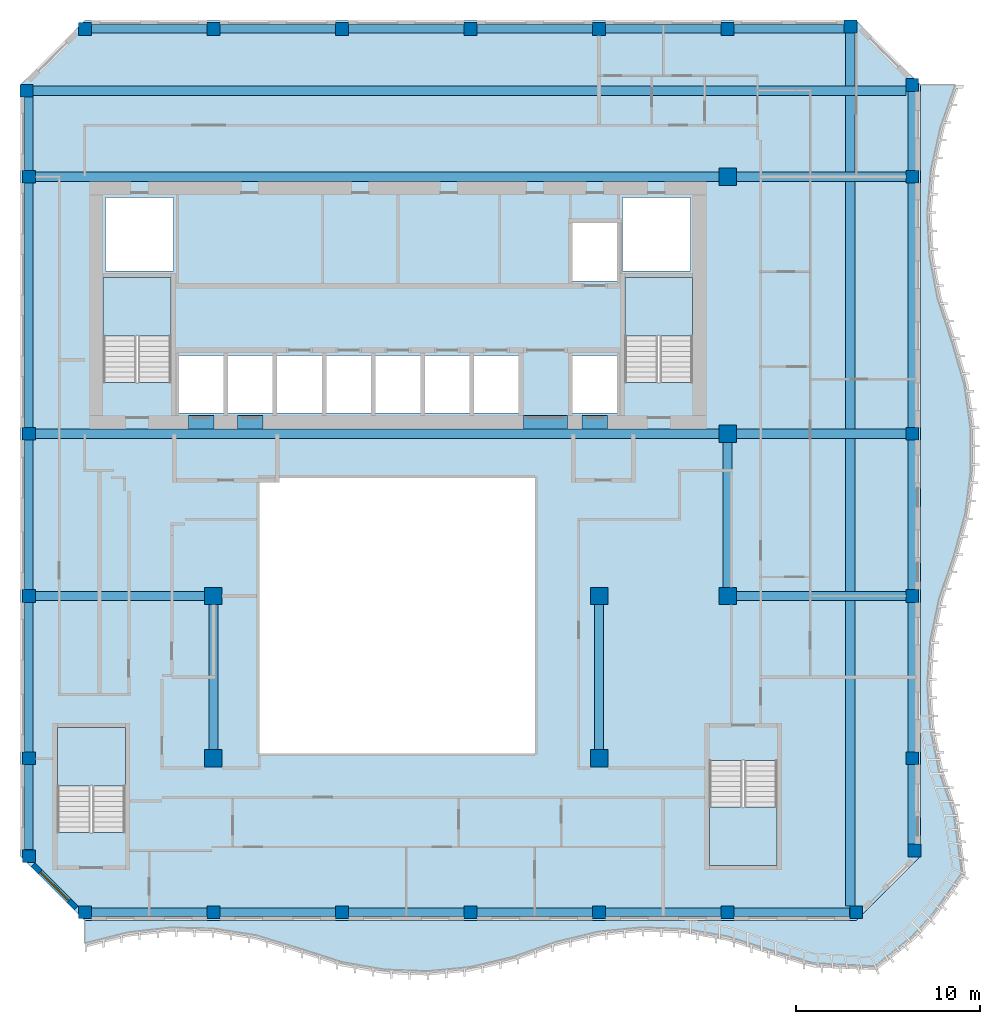
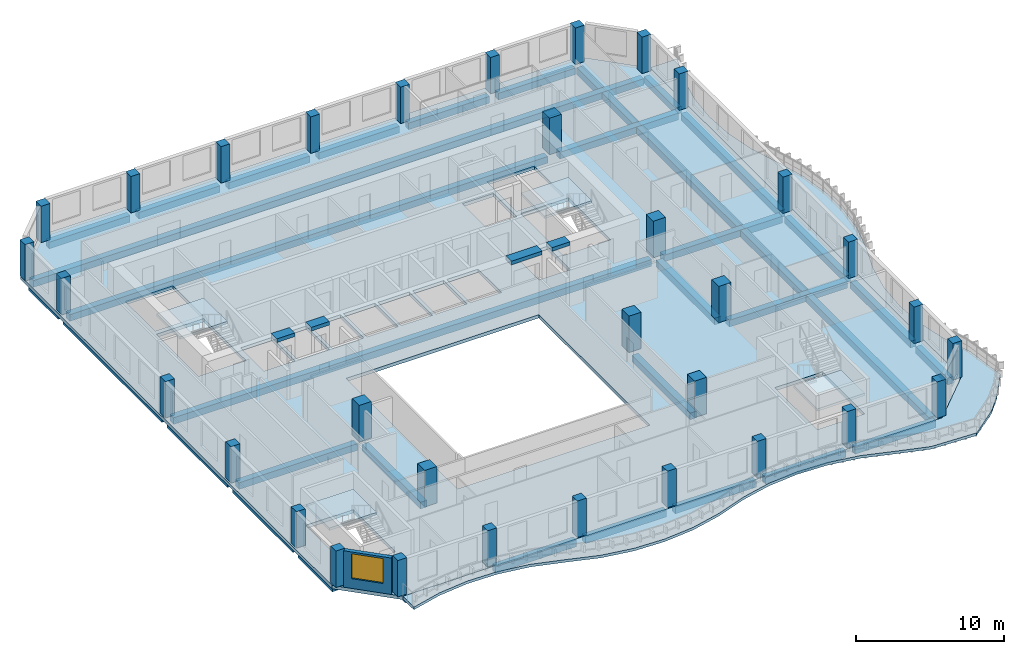
# One storey, part 1 of 13: 37 beams, 33 columns, 6 slabs, 1 wall, 1 window, 1 opening, 4 elements without a shape of their own.
"""IFC4 building model written with IfcOpenShell, lengths in metres."""

from ifc_helpers import new_model, si_unit, direction, frame, frame_2d, origin, origin_2d, place, context, subcontext, project, spatial, polyline, rectangle, outline, extrude, source, transform, mapped, material, layer, layer_set, material_profile, profile_set, type_object, element, fill, aggregate, save


model = new_model("IFC4")

# Units and contexts
model_context = context("Model", 3, precision=1e-05, world=origin(), true_north=direction((0.0, 1.0)))
body_context = subcontext(model_context, "Body", "Model", "MODEL_VIEW")
ifc_project = project(units=[si_unit("LENGTHUNIT", "METRE"), si_unit("AREAUNIT", "SQUARE_METRE"), si_unit("VOLUMEUNIT", "CUBIC_METRE"), si_unit("PLANEANGLEUNIT", "RADIAN"), si_unit("MASSUNIT", "GRAM", prefix="KILO")], contexts=[model_context])

# Site, building, storey
site_placement = place(None, origin())
site = spatial("IfcSite", under=ifc_project, at=site_placement, CompositionType="ELEMENT")
building_placement = place(site_placement, origin())
building = spatial("IfcBuilding", under=site, at=building_placement, Name="Kilnfold Tower and Market Hall", CompositionType="ELEMENT")
storey_placement = place(building_placement, frame((0.0, 0.0, 259.39990234375)))
storey = spatial("IfcBuildingStorey", under=building, at=storey_placement, Name="L63", CompositionType="ELEMENT", Elevation=259.39990234375)

# Columns
ifc_material_1 = material(Name="Concrete C60", Category="concrete")
ifc_material_profile_1 = material_profile(ifc_material_1, rectangle(XDim=0.699951171875, YDim=0.699951171875, at=origin_2d()), Name="RC 700x700")
ifc_profile_set_1 = profile_set([ifc_material_profile_1], Name="Concrete C60")
column_type_1 = type_object("IfcColumnType", Name="COLUMN 700X700 C60", PredefinedType="COLUMN", material=ifc_profile_set_1)
shared_shape_1 = source(origin(), body_context, "Body", "SweptSolid", [
    extrude(rectangle(XDim=0.699951171875, YDim=0.699951171875, at=origin_2d()), origin(), (0.0, 0.0, 1.0), 3.0),
])
for number, where, z_axis, x_axis, name in (
    (1, (-19.181884765625, 26.681884765625, 0.0), (0.0, 0.0, 1.0), (1.0, 0.0, 0.0), "Column C-B7-1G"),
    (2, (-19.050048828125, -15.0, 0.0), (0.0, 0.0, 1.0), (1.0, 0.0, 0.0), "Column C-B7-1B"),
    (3, (-19.050048828125, -9.666748046875, 0.0), (0.0, 0.0, 1.0), (1.0, 0.0, 0.0), "Column C-B7-1C"),
    (4, (-19.050048828125, -0.833251953125, 0.0), (0.0, 0.0, 1.0), (1.0, 0.0, 0.0), "Column C-B7-1D"),
    (5, (-19.050048828125, 8.0, 0.0), (0.0, 0.0, 1.0), (1.0, 0.0, 0.0), "Column C-B7-1E"),
    (6, (-19.050048828125, 22.0, 0.0), (0.0, 0.0, 1.0), (1.0, 0.0, 0.0), "Column C-B7-1F"),
    (7, (-16.0, -18.050048828125, 0.0), (0.0, 0.0, 1.0), (1.0, 0.0, 0.0), "Column C-B7-2A"),
    (8, (-16.0, 30.050048828125, 0.0), (0.0, 0.0, 1.0), (1.0, 0.0, 0.0), "Column C-B7-2H"),
    (9, (-9.0, -18.050048828125, 0.0), (0.0, 0.0, 1.0), (1.0, 0.0, 0.0), "Column C-B7-3A"),
    (10, (-9.0, 30.050048828125, 0.0), (0.0, 0.0, 1.0), (1.0, 0.0, 0.0), "Column C-B7-3H"),
    (11, (-2.0, -18.050048828125, 0.0), (0.0, 0.0, 1.0), (1.0, 0.0, 0.0), "Column C-B7-4A"),
    (12, (-2.0, 30.050048828125, 0.0), (0.0, 0.0, 1.0), (1.0, 0.0, 0.0), "Column C-B7-4H"),
    (13, (5.0, -18.050048828125, 0.0), (0.0, 0.0, 1.0), (1.0, 0.0, 0.0), "Column C-B7-5A"),
    (14, (5.0, 30.050048828125, 0.0), (0.0, 0.0, 1.0), (1.0, 0.0, 0.0), "Column C-B7-5H"),
    (15, (12.0, -18.050048828125, 0.0), (0.0, 0.0, 1.0), (1.0, 0.0, 0.0), "Column C-B7-6A"),
    (16, (12.0, 30.050048828125, 0.0), (0.0, 0.0, 1.0), (1.0, 0.0, 0.0), "Column C-B7-6H"),
    (17, (19.0, -18.050048828125, 0.0), (0.0, 0.0, 1.0), (1.0, 0.0, 0.0), "Column C-B7-7A"),
    (18, (19.0, 30.050048828125, 0.0), (0.0, 0.0, 1.0), (1.0, 0.0, 0.0), "Column C-B7-7H"),
    (19, (25.681884765625, 30.181884765625, 0.0), (0.0, 0.0, 1.0), (1.0, 0.0, 0.0), "Column C-B7-8H"),
    (20, (26.0, -18.050048828125, 0.0), (0.0, 0.0, 1.0), (1.0, 0.0, 0.0), "Column C-B7-8A"),
    (21, (29.050048828125, -9.666748046875, 0.0), (0.0, 0.0, 1.0), (1.0, 0.0, 0.0), "Column C-B7-9C"),
    (22, (29.050048828125, -0.833251953125, 0.0), (0.0, 0.0, 1.0), (1.0, 0.0, 0.0), "Column C-B7-9D"),
    (23, (29.050048828125, 8.0, 0.0), (0.0, 0.0, 1.0), (1.0, 0.0, 0.0), "Column C-B7-9E"),
    (24, (29.050048828125, 22.0, 0.0), (0.0, 0.0, 1.0), (1.0, 0.0, 0.0), "Column C-B7-9F"),
    (25, (29.050048828125, 27.0, 0.0), (0.0, 0.0, 1.0), (1.0, 0.0, 0.0), "Column C-B7-9G"),
    (26, (29.181884765625, -14.681884765625, 0.0), (0.0, 0.0, 1.0), (1.0, 0.0, 0.0), "Column C-B7-9B"),
):
    element("IfcColumn", number, at=place(storey_placement, frame(where, z_axis=z_axis, x_axis=x_axis)), inside=storey, type_object=column_type_1, Name=name, PredefinedType="COLUMN", context=body_context, shape_type="MappedRepresentation", body=[
        mapped(shared_shape_1, transform((0.0, 0.0, 0.0))),
    ])
ifc_material_2 = material(Name="Concrete C60", Category="concrete")
ifc_material_profile_2 = material_profile(ifc_material_2, rectangle(XDim=0.949951171875, YDim=0.949951171875, at=origin_2d()), Name="RC 950x950")
ifc_profile_set_2 = profile_set([ifc_material_profile_2], Name="Concrete C60")
column_type_2 = type_object("IfcColumnType", Name="COLUMN 950X950 C60", PredefinedType="COLUMN", material=ifc_profile_set_2)
shared_shape_2 = source(origin(), body_context, "Body", "SweptSolid", [
    extrude(rectangle(XDim=0.949951171875, YDim=0.949951171875, at=origin_2d()), origin(), (0.0, 0.0, 1.0), 3.0),
])
for number, where, z_axis, x_axis, name in (
    (27, (-9.0, -9.666748046875, 0.0), (0.0, 0.0, 1.0), (1.0, 0.0, 0.0), "Column C-B7-3C"),
    (28, (-9.0, -0.833251953125, 0.0), (0.0, 0.0, 1.0), (1.0, 0.0, 0.0), "Column C-B7-3D"),
    (29, (12.0, -9.666748046875, 0.0), (0.0, 0.0, 1.0), (1.0, 0.0, 0.0), "Column C-B7-6C"),
    (30, (12.0, -0.833251953125, 0.0), (0.0, 0.0, 1.0), (1.0, 0.0, 0.0), "Column C-B7-6D"),
    (31, (19.0, -0.833251953125, 0.0), (0.0, 0.0, 1.0), (1.0, 0.0, 0.0), "Column C-B7-7D"),
    (32, (19.0, 8.0, 0.0), (0.0, 0.0, 1.0), (1.0, 0.0, 0.0), "Column C-B7-7E"),
    (33, (19.0, 22.0, 0.0), (0.0, 0.0, 1.0), (1.0, 0.0, 0.0), "Column C-B7-7F"),
):
    element("IfcColumn", number, at=place(storey_placement, frame(where, z_axis=z_axis, x_axis=x_axis)), inside=storey, type_object=column_type_2, Name=name, PredefinedType="COLUMN", context=body_context, shape_type="MappedRepresentation", body=[
        mapped(shared_shape_2, transform((0.0, 0.0, 0.0))),
    ])

# Beams
ifc_material_3 = material(Name="Concrete C60", Category="concrete")
ifc_material_profile_3 = material_profile(ifc_material_3, rectangle(XDim=0.75, YDim=0.300048828125, at=origin_2d()), Name="RC 750x300")
ifc_profile_set_3 = profile_set([ifc_material_profile_3], Name="Concrete C60")
beam_type_1 = type_object("IfcBeamType", Name="COUPLING BEAM 750X300 C60", PredefinedType="BEAM", material=ifc_profile_set_3)
shared_shape_3 = source(origin(), body_context, "Body", "SweptSolid", [
    extrude(rectangle(XDim=0.75, YDim=0.300048828125, at=origin_2d()), origin(), (0.0, 0.0, 1.0), 1.400146484375),
])
beam_1_placement = place(storey_placement, frame((-10.3701171875, 8.625, 2.85009765625), z_axis=(1.0, 0.0, 0.0), x_axis=(0.0, 1.0, 0.0)))
element("IfcBeam", 34, at=beam_1_placement, inside=storey, type_object=beam_type_1, Name="Coupling beam CB300-60-CORE.30", PredefinedType="BEAM", context=body_context, shape_type="MappedRepresentation", body=[
    mapped(shared_shape_3, transform((0.0, 0.0, 0.0))),
])
shared_shape_4 = source(origin(), body_context, "Body", "SweptSolid", [
    extrude(rectangle(XDim=0.75, YDim=0.300048828125, at=origin_2d()), origin(), (0.0, 0.0, 1.0), 1.39990234375),
])
for number, where, z_axis, x_axis, name in (
    (35, (-7.68994140625, 8.625, 2.85009765625), (1.0, 0.0, 0.0), (0.0, 1.0, 0.0), "Coupling beam CB300-60-CORE.31"),
    (36, (11.070068359375, 8.625, 2.85009765625), (1.0, 0.0, 0.0), (0.0, 1.0, 0.0), "Coupling beam CB300-60-CORE.33"),
):
    element("IfcBeam", number, at=place(storey_placement, frame(where, z_axis=z_axis, x_axis=x_axis)), inside=storey, type_object=beam_type_1, Name=name, PredefinedType="BEAM", context=body_context, shape_type="MappedRepresentation", body=[
        mapped(shared_shape_4, transform((0.0, 0.0, 0.0))),
    ])
shared_shape_5 = source(origin(), body_context, "Body", "SweptSolid", [
    extrude(rectangle(XDim=0.75, YDim=0.300048828125, at=origin_2d()), origin(), (0.0, 0.0, 1.0), 2.400146484375),
])
beam_2_placement = place(storey_placement, frame((7.889892578125, 8.625, 2.85009765625), z_axis=(1.0, 0.0, 0.0), x_axis=(0.0, 1.0, 0.0)))
element("IfcBeam", 37, at=beam_2_placement, inside=storey, type_object=beam_type_1, Name="Coupling beam CB300-60-CORE.32", PredefinedType="BEAM", context=body_context, shape_type="MappedRepresentation", body=[
    mapped(shared_shape_5, transform((0.0, 0.0, 0.0))),
])
ifc_material_4 = material(Name="Concrete C45", Category="concrete")
ifc_material_profile_4 = material_profile(ifc_material_4, rectangle(XDim=0.449951171875, YDim=0.550048828125, at=origin_2d()), Name="RC 450x550")
ifc_profile_set_4 = profile_set([ifc_material_profile_4], Name="Concrete C45")
beam_type_2 = type_object("IfcBeamType", Name="EDGE BEAM 450X550 C45", PredefinedType="BEAM", material=ifc_profile_set_4)
shared_shape_6 = source(origin(), body_context, "Body", "SweptSolid", [
    extrude(rectangle(XDim=0.449951171875, YDim=0.550048828125, at=origin_2d()), origin(), (0.0, 0.0, 1.0), 13.2998046875),
])
for number, where, z_axis, x_axis, name in (
    (38, (-19.050048828125, 8.35009765625, -0.554931640625), (0.0, 1.0, 0.0), (-1.0, 0.0, 0.0), "Beam EB550-B7.50"),
    (39, (29.050048828125, 8.35009765625, -0.554931640625), (0.0, 1.0, 0.0), (-1.0, 0.0, 0.0), "Beam EB550-B7.58"),
):
    element("IfcBeam", number, at=place(storey_placement, frame(where, z_axis=z_axis, x_axis=x_axis)), inside=storey, type_object=beam_type_2, Name=name, PredefinedType="BEAM", context=body_context, shape_type="MappedRepresentation", body=[
        mapped(shared_shape_6, transform((0.0, 0.0, 0.0))),
    ])
shared_shape_7 = source(origin(), body_context, "Body", "SweptSolid", [
    extrude(rectangle(XDim=0.449951171875, YDim=0.550048828125, at=origin_2d()), origin(), (0.0, 0.0, 1.0), 6.2998046875),
])
for number, where, z_axis, x_axis, name in (
    (40, (-15.64990234375, -18.050048828125, -0.554931640625), (1.0, 0.0, 0.0), (0.0, 1.0, 0.0), "Beam EB550-B7.59"),
    (41, (-8.64990234375, -18.050048828125, -0.554931640625), (1.0, 0.0, 0.0), (0.0, 1.0, 0.0), "Beam EB550-B7.60"),
    (42, (-1.64990234375, -18.050048828125, -0.554931640625), (1.0, 0.0, 0.0), (0.0, 1.0, 0.0), "Beam EB550-B7.61"),
    (43, (5.35009765625, -18.050048828125, -0.554931640625), (1.0, 0.0, 0.0), (0.0, 1.0, 0.0), "Beam EB550-B7.62"),
    (44, (12.35009765625, -18.050048828125, -0.554931640625), (1.0, 0.0, 0.0), (0.0, 1.0, 0.0), "Beam EB550-B7.63"),
    (45, (19.35009765625, -18.050048828125, -0.554931640625), (1.0, 0.0, 0.0), (0.0, 1.0, 0.0), "Beam EB550-B7.64"),
    (46, (-15.64990234375, 30.050048828125, -0.554931640625), (1.0, 0.0, 0.0), (0.0, 1.0, 0.0), "Beam EB550-B7.72"),
    (47, (-8.64990234375, 30.050048828125, -0.554931640625), (1.0, 0.0, 0.0), (0.0, 1.0, 0.0), "Beam EB550-B7.73"),
    (48, (-1.64990234375, 30.050048828125, -0.554931640625), (1.0, 0.0, 0.0), (0.0, 1.0, 0.0), "Beam EB550-B7.74"),
    (49, (5.35009765625, 30.050048828125, -0.554931640625), (1.0, 0.0, 0.0), (0.0, 1.0, 0.0), "Beam EB550-B7.75"),
    (50, (12.35009765625, 30.050048828125, -0.554931640625), (1.0, 0.0, 0.0), (0.0, 1.0, 0.0), "Beam EB550-B7.76"),
):
    element("IfcBeam", number, at=place(storey_placement, frame(where, z_axis=z_axis, x_axis=x_axis)), inside=storey, type_object=beam_type_2, Name=name, PredefinedType="BEAM", context=body_context, shape_type="MappedRepresentation", body=[
        mapped(shared_shape_7, transform((0.0, 0.0, 0.0))),
    ])
ifc_material_5 = material(Name="Concrete C45", Category="concrete")
ifc_material_profile_5 = material_profile(ifc_material_5, rectangle(XDim=0.5, YDim=0.550048828125, at=origin_2d()), Name="RC 500x550")
ifc_profile_set_5 = profile_set([ifc_material_profile_5], Name="Concrete C45")
beam_type_3 = type_object("IfcBeamType", Name="BEAM 500X550 C45", PredefinedType="BEAM", material=ifc_profile_set_5)
shared_shape_8 = source(origin(), body_context, "Body", "SweptSolid", [
    extrude(rectangle(XDim=0.5, YDim=0.550048828125, at=origin_2d()), origin(), (0.0, 0.0, 1.0), 9.224853515625),
])
for number, where, z_axis, x_axis, name in (
    (51, (-18.699951171875, -0.830078125, -0.554931640625), (1.0, 0.0, 0.0), (0.0, 1.0, 0.0), "Beam BB550-B7.65"),
    (52, (19.47509765625, -0.830078125, -0.554931640625), (1.0, 0.0, 0.0), (0.0, 1.0, 0.0), "Beam BB550-B7.66"),
    (53, (19.47509765625, 8.0, -0.554931640625), (1.0, 0.0, 0.0), (0.0, 1.0, 0.0), "Beam BB550-B7.68"),
    (54, (19.47509765625, 22.0, -0.554931640625), (1.0, 0.0, 0.0), (0.0, 1.0, 0.0), "Beam BB550-B7.70"),
):
    element("IfcBeam", number, at=place(storey_placement, frame(where, z_axis=z_axis, x_axis=x_axis)), inside=storey, type_object=beam_type_3, Name=name, PredefinedType="BEAM", context=body_context, shape_type="MappedRepresentation", body=[
        mapped(shared_shape_8, transform((0.0, 0.0, 0.0))),
    ])
shared_shape_9 = source(origin(), body_context, "Body", "SweptSolid", [
    extrude(rectangle(XDim=0.5, YDim=0.550048828125, at=origin_2d()), origin(), (0.0, 0.0, 1.0), 37.224853515625),
])
for number, where, z_axis, x_axis, name in (
    (55, (-18.699951171875, 8.0, -0.554931640625), (1.0, 0.0, 0.0), (0.0, 1.0, 0.0), "Beam BB550-B7.67"),
    (56, (-18.699951171875, 22.0, -0.554931640625), (1.0, 0.0, 0.0), (0.0, 1.0, 0.0), "Beam BB550-B7.69"),
):
    element("IfcBeam", number, at=place(storey_placement, frame(where, z_axis=z_axis, x_axis=x_axis)), inside=storey, type_object=beam_type_3, Name=name, PredefinedType="BEAM", context=body_context, shape_type="MappedRepresentation", body=[
        mapped(shared_shape_9, transform((0.0, 0.0, 0.0))),
    ])
shared_shape_10 = source(origin(), body_context, "Body", "SweptSolid", [
    extrude(rectangle(XDim=0.5, YDim=0.550048828125, at=origin_2d()), origin(), (0.0, 0.0, 1.0), 47.53173828125),
])
for number, where, z_axis, x_axis, name in (
    (57, (-18.831787109375, 26.679931640625, -0.554931640625), (1.0, 0.0, 0.0), (0.0, 1.0, 0.0), "Beam BB550-B7.71"),
    (58, (25.679931640625, -17.699951171875, -0.554931640625), (0.0, 1.0, 0.0), (-1.0, 0.0, 0.0), "Beam BB550-B7.85"),
):
    element("IfcBeam", number, at=place(storey_placement, frame(where, z_axis=z_axis, x_axis=x_axis)), inside=storey, type_object=beam_type_3, Name=name, PredefinedType="BEAM", context=body_context, shape_type="MappedRepresentation", body=[
        mapped(shared_shape_10, transform((0.0, 0.0, 0.0))),
    ])
shared_shape_11 = source(origin(), body_context, "Body", "SweptSolid", [
    extrude(rectangle(XDim=0.449951171875, YDim=0.550048828125, at=origin_2d()), origin(), (0.0, 0.0, 1.0), 5.981689453125),
])
beam_3_placement = place(storey_placement, frame((19.35009765625, 30.050048828125, -0.554931640625), z_axis=(1.0, 0.0, 0.0), x_axis=(0.0, 1.0, 0.0)))
element("IfcBeam", 59, at=beam_3_placement, inside=storey, type_object=beam_type_2, Name="Beam EB550-B7.77", PredefinedType="BEAM", context=body_context, shape_type="MappedRepresentation", body=[
    mapped(shared_shape_11, transform((0.0, 0.0, 0.0))),
])
shared_shape_12 = source(origin(), body_context, "Body", "SweptSolid", [
    extrude(rectangle(XDim=0.449951171875, YDim=0.550048828125, at=origin_2d()), origin(), (0.0, 0.0, 1.0), 4.63330078125),
])
beam_4_placement = place(storey_placement, frame((-19.050048828125, -14.64990234375, -0.554931640625), z_axis=(0.0, 1.0, 0.0), x_axis=(-1.0, 0.0, 0.0)))
element("IfcBeam", 60, at=beam_4_placement, inside=storey, type_object=beam_type_2, Name="Beam EB550-B7.78", PredefinedType="BEAM", context=body_context, shape_type="MappedRepresentation", body=[
    mapped(shared_shape_12, transform((0.0, 0.0, 0.0))),
])
shared_shape_13 = source(origin(), body_context, "Body", "SweptSolid", [
    extrude(rectangle(XDim=0.449951171875, YDim=0.550048828125, at=origin_2d()), origin(), (0.0, 0.0, 1.0), 8.13330078125),
])
for number, where, z_axis, x_axis, name in (
    (61, (-19.050048828125, -9.316650390625, -0.554931640625), (0.0, 1.0, 0.0), (-1.0, 0.0, 0.0), "Beam EB550-B7.79"),
    (62, (-19.050048828125, -0.4833984375, -0.554931640625), (0.0, 1.0, 0.0), (-1.0, 0.0, 0.0), "Beam EB550-B7.80"),
    (63, (29.050048828125, -9.316650390625, -0.554931640625), (0.0, 1.0, 0.0), (-1.0, 0.0, 0.0), "Beam EB550-B7.87"),
    (64, (29.050048828125, -0.4833984375, -0.554931640625), (0.0, 1.0, 0.0), (-1.0, 0.0, 0.0), "Beam EB550-B7.88"),
):
    element("IfcBeam", number, at=place(storey_placement, frame(where, z_axis=z_axis, x_axis=x_axis)), inside=storey, type_object=beam_type_2, Name=name, PredefinedType="BEAM", context=body_context, shape_type="MappedRepresentation", body=[
        mapped(shared_shape_13, transform((0.0, 0.0, 0.0))),
    ])
shared_shape_14 = source(origin(), body_context, "Body", "SweptSolid", [
    extrude(rectangle(XDim=0.449951171875, YDim=0.550048828125, at=origin_2d()), origin(), (0.0, 0.0, 1.0), 3.981689453125),
])
beam_5_placement = place(storey_placement, frame((-19.050048828125, 22.35009765625, -0.554931640625), z_axis=(0.0, 1.0, 0.0), x_axis=(-1.0, 0.0, 0.0)))
element("IfcBeam", 65, at=beam_5_placement, inside=storey, type_object=beam_type_2, Name="Beam EB550-B7.81", PredefinedType="BEAM", context=body_context, shape_type="MappedRepresentation", body=[
    mapped(shared_shape_14, transform((0.0, 0.0, 0.0))),
])
shared_shape_15 = source(origin(), body_context, "Body", "SweptSolid", [
    extrude(rectangle(XDim=0.5, YDim=0.550048828125, at=origin_2d()), origin(), (0.0, 0.0, 1.0), 7.88330078125),
])
for number, where, z_axis, x_axis, name in (
    (66, (-9.0, -9.191650390625, -0.554931640625), (0.0, 1.0, 0.0), (-1.0, 0.0, 0.0), "Beam BB550-B7.82"),
    (67, (12.0, -9.191650390625, -0.554931640625), (0.0, 1.0, 0.0), (-1.0, 0.0, 0.0), "Beam BB550-B7.83"),
    (68, (19.0, -0.3583984375, -0.554931640625), (0.0, 1.0, 0.0), (-1.0, 0.0, 0.0), "Beam BB550-B7.84"),
):
    element("IfcBeam", number, at=place(storey_placement, frame(where, z_axis=z_axis, x_axis=x_axis)), inside=storey, type_object=beam_type_3, Name=name, PredefinedType="BEAM", context=body_context, shape_type="MappedRepresentation", body=[
        mapped(shared_shape_15, transform((0.0, 0.0, 0.0))),
    ])
shared_shape_16 = source(origin(), body_context, "Body", "SweptSolid", [
    extrude(rectangle(XDim=0.449951171875, YDim=0.550048828125, at=origin_2d()), origin(), (0.0, 0.0, 1.0), 4.315185546875),
])
beam_6_placement = place(storey_placement, frame((29.050048828125, -14.331787109375, -0.554931640625), z_axis=(0.0, 1.0, 0.0), x_axis=(-1.0, 0.0, 0.0)))
element("IfcBeam", 69, at=beam_6_placement, inside=storey, type_object=beam_type_2, Name="Beam EB550-B7.86", PredefinedType="BEAM", context=body_context, shape_type="MappedRepresentation", body=[
    mapped(shared_shape_16, transform((0.0, 0.0, 0.0))),
])
shared_shape_17 = source(origin(), body_context, "Body", "SweptSolid", [
    extrude(rectangle(XDim=0.449951171875, YDim=0.550048828125, at=origin_2d()), origin(), (0.0, 0.0, 1.0), 4.2998046875),
])
beam_7_placement = place(storey_placement, frame((29.050048828125, 22.35009765625, -0.554931640625), z_axis=(0.0, 1.0, 0.0), x_axis=(-1.0, 0.0, 0.0)))
element("IfcBeam", 70, at=beam_7_placement, inside=storey, type_object=beam_type_2, Name="Beam EB550-B7.89", PredefinedType="BEAM", context=body_context, shape_type="MappedRepresentation", body=[
    mapped(shared_shape_17, transform((0.0, 0.0, 0.0))),
])

# Slabs
ifc_material_6 = material(Name="Concrete C45", Category="concrete")
ifc_layer_1 = layer(ifc_material_6, 0.280029296875)
ifc_layer_set_1 = layer_set([ifc_layer_1], Name="Concrete C45")
slab_type_1 = type_object("IfcSlabType", Name="FLOOR SLAB 280", PredefinedType="FLOOR", material=ifc_layer_set_1)
shared_shape_18 = source(origin(), body_context, "Body", "SweptSolid", [
    extrude(outline(polyline([(-16.0, -18.5), (26.0, -18.5), (29.5, -15.0), (29.5, 27.0), (26.0, 30.5), (-16.0, 30.5), (-19.5, 27.0), (-19.5, -15.0), (-16.0, -18.5)]), holes=[polyline([(-13.800537109375, -13.699462890625), (-17.49951171875, -13.699462890625), (-17.49951171875, -8.00048828125), (-13.800537109375, -8.00048828125), (-13.800537109375, -13.699462890625)]), polyline([(-11.300537109375, 10.800537109375), (-14.99951171875, 10.800537109375), (-14.99951171875, 16.49951171875), (-11.300537109375, 16.49951171875), (-11.300537109375, 10.800537109375)]), polyline([(-11.175048828125, 16.875), (-14.875, 16.875), (-14.875, 20.875), (-11.175048828125, 20.875), (-11.175048828125, 16.875)]), polyline([(-8.455078125, 9.125), (-10.885009765625, 9.125), (-10.885009765625, 12.27490234375), (-8.455078125, 12.27490234375), (-8.455078125, 9.125)]), polyline([(-5.77490234375, 9.125), (-8.205078125, 9.125), (-8.205078125, 12.27490234375), (-5.77490234375, 12.27490234375), (-5.77490234375, 9.125)]), polyline([(8.5, -9.39990234375), (-6.5, -9.39990234375), (-6.5, 5.60009765625), (8.5, 5.60009765625), (8.5, -9.39990234375)]), polyline([(-3.094970703125, 9.125), (-5.52490234375, 9.125), (-5.52490234375, 12.27490234375), (-3.094970703125, 12.27490234375), (-3.094970703125, 9.125)]), polyline([(-0.4150390625, 9.125), (-2.844970703125, 9.125), (-2.844970703125, 12.27490234375), (-0.4150390625, 12.27490234375), (-0.4150390625, 9.125)]), polyline([(2.264892578125, 9.125), (-0.1650390625, 9.125), (-0.1650390625, 12.27490234375), (2.264892578125, 12.27490234375), (2.264892578125, 9.125)]), polyline([(4.945068359375, 9.125), (2.514892578125, 9.125), (2.514892578125, 12.27490234375), (4.945068359375, 12.27490234375), (4.945068359375, 9.125)]), polyline([(7.625, 9.125), (5.195068359375, 9.125), (5.195068359375, 12.27490234375), (7.625, 12.27490234375), (7.625, 9.125)]), polyline([(12.985107421875, 9.125), (10.554931640625, 9.125), (10.554931640625, 12.27490234375), (12.985107421875, 12.27490234375), (12.985107421875, 9.125)]), polyline([(12.985107421875, 16.324951171875), (10.554931640625, 16.324951171875), (10.554931640625, 19.47509765625), (12.985107421875, 19.47509765625), (12.985107421875, 16.324951171875)]), polyline([(16.97509765625, 16.875), (13.27490234375, 16.875), (13.27490234375, 20.875), (16.97509765625, 20.875), (16.97509765625, 16.875)]), polyline([(17.099609375, 10.800537109375), (13.400390625, 10.800537109375), (13.400390625, 16.49951171875), (17.099609375, 16.49951171875), (17.099609375, 10.800537109375)]), polyline([(18.00048828125, -9.800537109375), (21.699462890625, -9.800537109375), (21.699462890625, -15.49951171875), (18.00048828125, -15.49951171875), (18.00048828125, -9.800537109375)])]), origin(), (0.0, 0.0, 1.0), 0.280029296875),
])
slab_1_placement = place(storey_placement, frame((0.0, 0.0, -0.280029296875)))
element("IfcSlab", 71, at=slab_1_placement, inside=storey, type_object=slab_type_1, Name="Floor slab L63", PredefinedType="FLOOR", context=body_context, shape_type="MappedRepresentation", body=[
    mapped(shared_shape_18, transform((0.0, 0.0, 0.0))),
])
ifc_material_7 = material(Name="Concrete C40/50", Category="concrete")
ifc_layer_2 = layer(ifc_material_7, 0.219970703125)
ifc_layer_set_2 = layer_set([ifc_layer_2], Name="Concrete C40/50")
slab_type_2 = type_object("IfcSlabType", Name="BALCONY SLAB 220", PredefinedType="FLOOR", material=ifc_layer_set_2)
shared_shape_19 = source(origin(), body_context, "Body", "SweptSolid", [
    extrude(outline(polyline([(-16.0, -18.5), (26.0, -18.5), (29.5, -15.0), (29.5, 27.0), (31.626953125, 27.0), (30.8115234375, 24.666748046875), (30.294189453125, 22.333251953125), (30.10205078125, 20.0), (30.2236328125, 17.666748046875), (30.666259765625, 15.333251953125), (31.44580078125, 13.0), (32.116455078125, 10.666748046875), (32.451416015625, 8.333251953125), (32.469482421875, 6.0), (32.171875, 3.666748046875), (31.54150390625, 1.333251953125), (30.7392578125, -1.0), (30.25830078125, -3.333251953125), (30.10009765625, -5.666748046875), (30.255859375, -8.0), (30.734375, -10.333251953125), (31.535400390625, -12.666748046875), (31.96533203125, -16.021240234375), (30.3935546875, -18.226806640625), (29.287841796875, -19.45458984375), (27.12109375, -21.206298828125), (23.666748046875, -21.0576171875), (21.333251953125, -20.346435546875), (19.0, -19.59912109375), (16.666748046875, -19.19384765625), (14.333251953125, -19.10791015625), (12.0, -19.33642578125), (9.666748046875, -19.89208984375), (7.333251953125, -20.7119140625), (5.0, -21.265869140625), (2.666748046875, -21.492431640625), (0.333251953125, -21.40478515625), (-2.0, -20.997802734375), (-4.333251953125, -20.24853515625), (-6.666748046875, -19.539306640625), (-9.0, -19.16943359375), (-11.333251953125, -19.117431640625), (-13.666748046875, -19.38037109375), (-16.0, -19.97314453125), (-16.0, -18.5)])), origin(), (0.0, 0.0, 1.0), 0.219970703125),
])
slab_2_placement = place(storey_placement, frame((0.0, 0.0, -0.219970703125)))
element("IfcSlab", 72, at=slab_2_placement, inside=storey, type_object=slab_type_2, Name="Balcony slab L63", PredefinedType="FLOOR", context=body_context, shape_type="MappedRepresentation", body=[
    mapped(shared_shape_19, transform((0.0, 0.0, 0.0))),
])

# Stair, slab
ifc_material_8 = material(Name="Concrete C40/50", Category="concrete")
stair_type = type_object("IfcStairType", Name="CORE STAIR 1800", PredefinedType="HALF_TURN_STAIR", material=ifc_material_8)
stair_1_placement = place(storey_placement, origin())
stair_1 = element("IfcStair", 73, at=stair_1_placement, inside=storey, type_object=stair_type, Name="L63 ST1", PredefinedType="HALF_TURN_STAIR")
ifc_material_9 = material(Name="Concrete C40/50", Category="concrete")
ifc_layer_3 = layer(ifc_material_9, 0.199951171875)
ifc_layer_set_3 = layer_set([ifc_layer_3], Name="Concrete C40/50")
slab_type_3 = type_object("IfcSlabType", Name="CORE STAIR LANDING 200", PredefinedType="LANDING", material=ifc_layer_set_3)
shared_shape_20 = source(origin(), body_context, "Body", "SweptSolid", [
    extrude(outline(polyline([(-11.300048828125, 13.320068359375), (-11.300048828125, 16.5), (-15.0, 16.5), (-15.0, 13.320068359375), (-11.300048828125, 13.320068359375)])), origin(), (0.0, 0.0, 1.0), 0.2001953125),
])
slab_3_placement = place(storey_placement, frame((0.0, 0.0, 1.5)))
slab_3 = element("IfcSlab", 74, at=slab_3_placement, type_object=slab_type_3, Name="ST1 landing 1", PredefinedType="LANDING", context=body_context, shape_type="MappedRepresentation", body=[
    mapped(shared_shape_20, transform((0.0, 0.0, 0.0))),
])
aggregate(stair_1, [slab_3])

stair_2_placement = place(storey_placement, origin())
stair_2 = element("IfcStair", 75, at=stair_2_placement, inside=storey, type_object=stair_type, Name="L63 ST2", PredefinedType="HALF_TURN_STAIR")
shared_shape_21 = source(origin(), body_context, "Body", "SweptSolid", [
    extrude(outline(polyline([(17.10009765625, 13.320068359375), (17.10009765625, 16.5), (13.39990234375, 16.5), (13.39990234375, 13.320068359375), (17.10009765625, 13.320068359375)])), origin(), (0.0, 0.0, 1.0), 0.2001953125),
])
slab_4_placement = place(storey_placement, frame((0.0, 0.0, 1.5)))
slab_4 = element("IfcSlab", 76, at=slab_4_placement, type_object=slab_type_3, Name="ST2 landing 1", PredefinedType="LANDING", context=body_context, shape_type="MappedRepresentation", body=[
    mapped(shared_shape_21, transform((0.0, 0.0, 0.0))),
])
aggregate(stair_2, [slab_4])

stair_3_placement = place(storey_placement, origin())
stair_3 = element("IfcStair", 77, at=stair_3_placement, inside=storey, type_object=stair_type, Name="L63 ST3", PredefinedType="HALF_TURN_STAIR")
shared_shape_22 = source(origin(), body_context, "Body", "SweptSolid", [
    extrude(outline(polyline([(-13.800048828125, -11.179931640625), (-13.800048828125, -8.0), (-17.5, -8.0), (-17.5, -11.179931640625), (-13.800048828125, -11.179931640625)])), origin(), (0.0, 0.0, 1.0), 0.2001953125),
])
slab_5_placement = place(storey_placement, frame((0.0, 0.0, 1.5)))
slab_5 = element("IfcSlab", 78, at=slab_5_placement, type_object=slab_type_3, Name="ST3 landing 1", PredefinedType="LANDING", context=body_context, shape_type="MappedRepresentation", body=[
    mapped(shared_shape_22, transform((0.0, 0.0, 0.0))),
])
aggregate(stair_3, [slab_5])

stair_4_placement = place(storey_placement, origin())
stair_4 = element("IfcStair", 79, at=stair_4_placement, inside=storey, type_object=stair_type, Name="L63 ST4", PredefinedType="HALF_TURN_STAIR")
shared_shape_23 = source(origin(), body_context, "Body", "SweptSolid", [
    extrude(outline(polyline([(18.0, -12.320068359375), (18.0, -15.5), (21.699951171875, -15.5), (21.699951171875, -12.320068359375), (18.0, -12.320068359375)])), origin(), (0.0, 0.0, 1.0), 0.2001953125),
])
slab_6_placement = place(storey_placement, frame((0.0, 0.0, 1.5)))
slab_6 = element("IfcSlab", 80, at=slab_6_placement, type_object=slab_type_3, Name="ST4 landing 1", PredefinedType="LANDING", context=body_context, shape_type="MappedRepresentation", body=[
    mapped(shared_shape_23, transform((0.0, 0.0, 0.0))),
])
aggregate(stair_4, [slab_6])

# Wall, opening, window
ifc_material_10 = material(Name="Precast concrete C50/60", Category="concrete")
ifc_layer_4 = layer(ifc_material_10, 0.300048828125)
ifc_layer_set_4 = layer_set([ifc_layer_4], Name="Precast concrete C50/60")
wall_type = type_object("IfcWallType", Name="PRECAST WALL 300", PredefinedType="SOLIDWALL", material=ifc_layer_set_4)
shared_shape_24 = source(origin(), body_context, "Body", "SweptSolid", [
    extrude(rectangle(XDim=3.323486328125, YDim=0.300048828125, at=frame_2d((1.66162109375, 0.0))), origin(), (0.0, 0.0, 1.0), 3.0),
])
wall_placement = place(storey_placement, frame((-18.81884765625, -15.468994140625, 0.0), z_axis=(0.0, 0.0, 1.0), x_axis=(0.707070049321, -0.707143511144, 0.0)))
wall = element("IfcWall", 81, at=wall_placement, inside=storey, type_object=wall_type, Name="External wall L63 SW", PredefinedType="SOLIDWALL", context=body_context, shape_type="MappedRepresentation", body=[
    mapped(shared_shape_24, transform((0.0, 0.0, 0.0))),
])
opening_placement = place(wall_placement, frame((0.561767578125, 0.0, 0.800048828125)))
opening = element("IfcOpeningElement", 82, at=opening_placement, cuts=wall, Name="Opening W3", PredefinedType="OPENING", context=body_context, shape_type="SweptSolid", body=[
    extrude(rectangle(XDim=2.199951171875, YDim=2.050048828125, at=frame_2d((1.10009765625, 1.02490234375))), frame((0.0, 0.16015625, 0.0), z_axis=(0.0, -1.0, 0.0), x_axis=(1.0, 0.0, 0.0)), (0.0, 0.0, 1.0), 0.320068359375),
])
ifc_material_11 = material(Name="Aluminium frame and double glazing", Category="aluminium")
window_type = type_object("IfcWindowType", Name="WINDOW W3 2200X2050", PartitioningType="SINGLE_PANEL", PredefinedType="WINDOW", material=ifc_material_11)
window_placement = place(opening_placement, origin())
window = element("IfcWindow", 83, at=window_placement, inside=storey, type_object=window_type, Name="Window W3 L63 SW-1", OverallHeight=2.050048828125, OverallWidth=2.199951171875, PartitioningType="SINGLE_PANEL", PredefinedType="WINDOW", context=body_context, shape_type="SweptSolid", body=[
    extrude(rectangle(XDim=2.199951171875, YDim=2.050048828125, at=frame_2d((1.10009765625, 1.02490234375))), frame((0.0, 0.030029296875, 0.0), z_axis=(0.0, -1.0, 0.0), x_axis=(1.0, 0.0, 0.0)), (0.0, 0.0, 1.0), 0.06005859375),
])
fill(opening, window)

save(model, "model.ifc")
